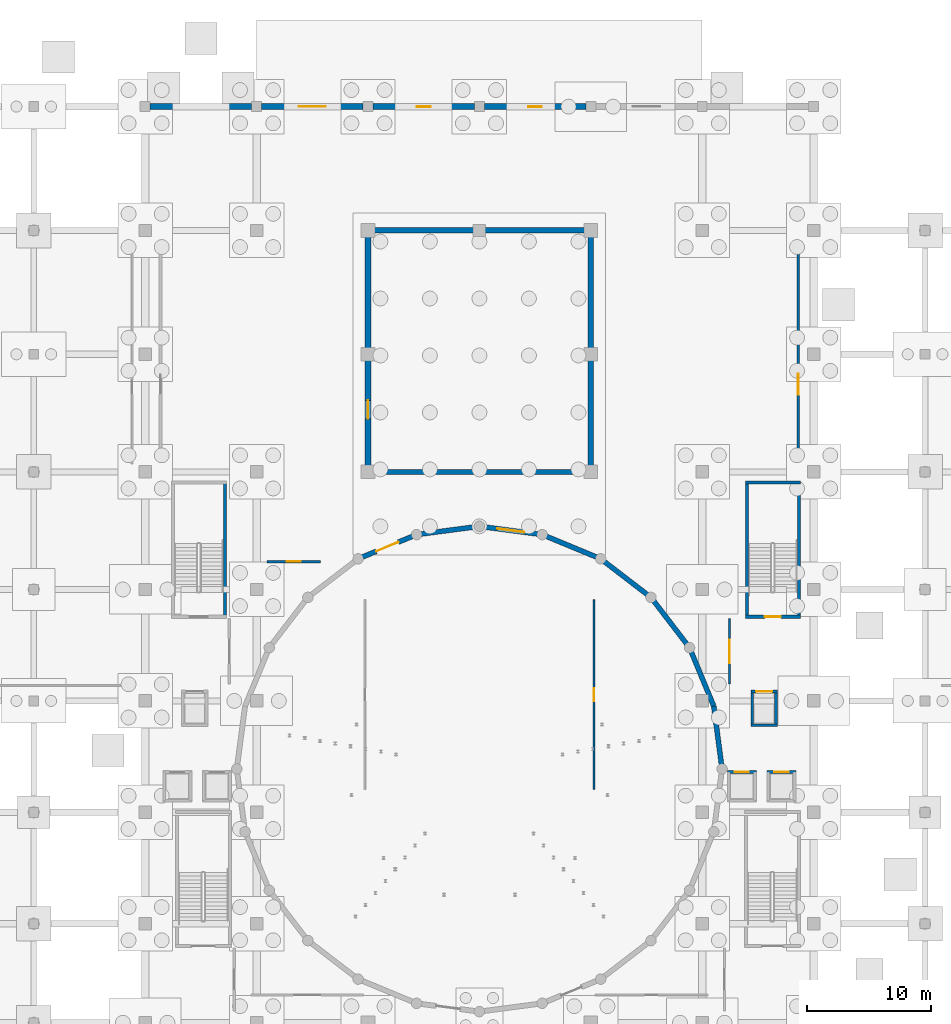
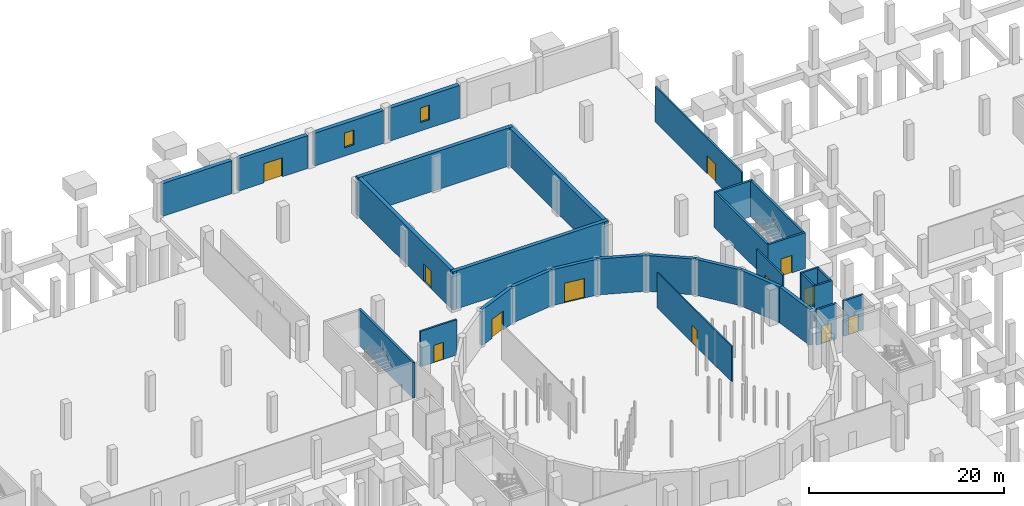
# One storey, part 30 of 40: 31 walls, 12 doors, 2 windows, 14 openings.
"""IFC4 building model written with IfcOpenShell, lengths in metres."""

from ifc_helpers import new_model, si_unit, direction, frame, frame_2d, origin, place, context, subcontext, project, spatial, rectangle, extrude, material, layer, layer_set, type_object, element, fill, save


model = new_model("IFC4")

# Units and contexts
model_context = context("Model", 3, precision=1e-05, world=origin(), true_north=direction((0.0, 1.0)))
body_context = subcontext(model_context, "Body", "Model", "MODEL_VIEW")
ifc_project = project(units=[si_unit("LENGTHUNIT", "METRE"), si_unit("AREAUNIT", "SQUARE_METRE"), si_unit("VOLUMEUNIT", "CUBIC_METRE"), si_unit("PLANEANGLEUNIT", "RADIAN"), si_unit("MASSUNIT", "GRAM", prefix="KILO")], contexts=[model_context])

# Site, building, storey
site_placement = place(None, origin())
site = spatial("IfcSite", under=ifc_project, at=site_placement, CompositionType="ELEMENT")
building_placement = place(site_placement, origin())
building = spatial("IfcBuilding", under=site, at=building_placement, Name="Marnock Terrace Opera House", CompositionType="ELEMENT")
storey_placement = place(building_placement, frame((0.0, 0.0, -4.800048828125)))
storey = spatial("IfcBuildingStorey", under=building, at=storey_placement, Name="B1", CompositionType="ELEMENT", Elevation=-4.800048828125)

# Wall
ifc_material_1 = material(Name="Carey Gully rusticated stone masonry", Category="masonry")
ifc_layer_1 = layer(ifc_material_1, 0.47998046875)
ifc_layer_set_1 = layer_set([ifc_layer_1], Name="Carey Gully rusticated stone masonry")
wall_type_1 = type_object("IfcWallType", Name="EW-BASE-480", PredefinedType="SOLIDWALL", material=ifc_layer_set_1)
wall_1_placement = place(storey_placement, frame((55.39599609375, 114.0, 0.0), z_axis=(0.0, 0.0, 1.0), x_axis=(1.0, 0.0, 0.0)))
element("IfcWall", 1, at=wall_1_placement, inside=storey, type_object=wall_type_1, Name="B1 North Parklands walk-out promenade wall 1", PredefinedType="SOLIDWALL", context=body_context, shape_type="SweptSolid", body=[
    extrude(rectangle(XDim=8.2080078125, YDim=0.47998046875, at=frame_2d((4.10400390625, 0.0))), origin(), (0.0, 0.0, 1.0), 4.111328125),
])

# Wall, opening, door
wall_2_placement = place(storey_placement, frame((64.39599609375, 114.0, 0.0), z_axis=(0.0, 0.0, 1.0), x_axis=(1.0, 0.0, 0.0)))
wall_2 = element("IfcWall", 2, at=wall_2_placement, inside=storey, type_object=wall_type_1, Name="B1 North Parklands walk-out promenade wall 2", PredefinedType="SOLIDWALL", context=body_context, shape_type="SweptSolid", body=[
    extrude(rectangle(XDim=8.2080078125, YDim=0.47998046875, at=frame_2d((4.10400390625, 0.0))), origin(), (0.0, 0.0, 1.0), 4.111328125),
])
opening_1_placement = place(wall_2_placement, frame((3.00390625, 0.0, 0.0)))
opening_1 = element("IfcOpeningElement", 3, at=opening_1_placement, cuts=wall_2, Name="Opening ED-17", PredefinedType="OPENING", context=body_context, shape_type="SweptSolid", body=[
    extrude(rectangle(XDim=2.199951171875, YDim=2.39990234375, at=frame_2d((1.10009765625, 1.199951171875))), frame((0.0, 0.25, 0.0), z_axis=(0.0, -1.0, 0.0), x_axis=(1.0, 0.0, 0.0)), (0.0, 0.0, 1.0), 0.5),
])
ifc_material_2 = material(Name="Anodised architectural bronze aluminium framing", Category="aluminium")
door_type_1 = type_object("IfcDoorType", Name="DT-EXIT-2200", OperationType="NOTDEFINED", PredefinedType="DOOR", material=ifc_material_2)
door_1_placement = place(opening_1_placement, origin())
door_1 = element("IfcDoor", 4, at=door_1_placement, inside=storey, type_object=door_type_1, Name="Exterior door ED-17", OperationType="DOUBLE_DOOR_SINGLE_SWING", OverallHeight=2.39990234375, OverallWidth=2.199951171875, PredefinedType="DOOR", context=body_context, shape_type="SweptSolid", body=[
    extrude(rectangle(XDim=2.199951171875, YDim=2.39990234375, at=frame_2d((1.10009765625, 1.199951171875))), frame((0.0, 0.02490234375, 0.0), z_axis=(0.0, -1.0, 0.0), x_axis=(1.0, 0.0, 0.0)), (0.0, 0.0, 1.0), 0.050048828125),
])
fill(opening_1, door_1)

# Wall, opening, window
wall_3_placement = place(storey_placement, frame((73.39599609375, 114.0, 0.0), z_axis=(0.0, 0.0, 1.0), x_axis=(1.0, 0.0, 0.0)))
wall_3 = element("IfcWall", 5, at=wall_3_placement, inside=storey, type_object=wall_type_1, Name="B1 North Parklands walk-out promenade wall 3", PredefinedType="SOLIDWALL", context=body_context, shape_type="SweptSolid", body=[
    extrude(rectangle(XDim=8.2080078125, YDim=0.47998046875, at=frame_2d((4.10400390625, 0.0))), origin(), (0.0, 0.0, 1.0), 4.111328125),
])
opening_2_placement = place(wall_3_placement, frame((3.553955078125, 0.0, 1.050048828125)))
opening_2 = element("IfcOpeningElement", 6, at=opening_2_placement, cuts=wall_3, Name="Opening WT-23", PredefinedType="OPENING", context=body_context, shape_type="SweptSolid", body=[
    extrude(rectangle(XDim=1.10009765625, YDim=1.85009765625, at=frame_2d((0.550048828125, 0.925048828125))), frame((0.0, 0.25, 0.0), z_axis=(0.0, -1.0, 0.0), x_axis=(1.0, 0.0, 0.0)), (0.0, 0.0, 1.0), 0.5),
])
ifc_material_3 = material(Name="Double-glazed acoustic low-E laminated glass", Category="glass")
window_type = type_object("IfcWindowType", Name="WT-DRESS-1100", PartitioningType="SINGLE_PANEL", PredefinedType="WINDOW", material=ifc_material_3)
window_1_placement = place(opening_2_placement, origin())
window_1 = element("IfcWindow", 7, at=window_1_placement, inside=storey, type_object=window_type, Name="B1 facade window EW-V2N-B1-3.1", OverallHeight=1.85009765625, OverallWidth=1.10009765625, PartitioningType="SINGLE_PANEL", PredefinedType="WINDOW", context=body_context, shape_type="SweptSolid", body=[
    extrude(rectangle(XDim=1.10009765625, YDim=1.85009765625, at=frame_2d((0.550048828125, 0.925048828125))), frame((0.0, 0.030029296875, 0.0), z_axis=(0.0, -1.0, 0.0), x_axis=(1.0, 0.0, 0.0)), (0.0, 0.0, 1.0), 0.06005859375),
])
fill(opening_2, window_1)

wall_4_placement = place(storey_placement, frame((82.39599609375, 114.0, 0.0), z_axis=(0.0, 0.0, 1.0), x_axis=(1.0, 0.0, 0.0)))
wall_4 = element("IfcWall", 8, at=wall_4_placement, inside=storey, type_object=wall_type_1, Name="B1 North Parklands walk-out promenade wall 4", PredefinedType="SOLIDWALL", context=body_context, shape_type="SweptSolid", body=[
    extrude(rectangle(XDim=8.2080078125, YDim=0.47998046875, at=frame_2d((4.10400390625, 0.0))), origin(), (0.0, 0.0, 1.0), 4.111328125),
])
opening_3_placement = place(wall_4_placement, frame((3.553955078125, 0.0, 1.050048828125)))
opening_3 = element("IfcOpeningElement", 9, at=opening_3_placement, cuts=wall_4, Name="Opening WT-23", PredefinedType="OPENING", context=body_context, shape_type="SweptSolid", body=[
    extrude(rectangle(XDim=1.10009765625, YDim=1.85009765625, at=frame_2d((0.550048828125, 0.925048828125))), frame((0.0, 0.25, 0.0), z_axis=(0.0, -1.0, 0.0), x_axis=(1.0, 0.0, 0.0)), (0.0, 0.0, 1.0), 0.5),
])
window_2_placement = place(opening_3_placement, origin())
window_2 = element("IfcWindow", 10, at=window_2_placement, inside=storey, type_object=window_type, Name="B1 facade window EW-V2N-B1-4.1", OverallHeight=1.85009765625, OverallWidth=1.10009765625, PartitioningType="SINGLE_PANEL", PredefinedType="WINDOW", context=body_context, shape_type="SweptSolid", body=[
    extrude(rectangle(XDim=1.10009765625, YDim=1.85009765625, at=frame_2d((0.550048828125, 0.925048828125))), frame((0.0, 0.030029296875, 0.0), z_axis=(0.0, -1.0, 0.0), x_axis=(1.0, 0.0, 0.0)), (0.0, 0.0, 1.0), 0.06005859375),
])
fill(opening_3, window_2)

# Wall, opening, door
ifc_material_4 = material(Name="Rendered acoustic concrete blockwork", Category="masonry")
ifc_layer_2 = layer(ifc_material_4, 0.195068359375)
ifc_layer_set_2 = layer_set([ifc_layer_2], Name="Rendered acoustic concrete blockwork")
wall_type_2 = type_object("IfcWallType", Name="IW-FIRE-195", PredefinedType="PARTITIONING", material=ifc_layer_set_2)
wall_5_placement = place(storey_placement, frame((102.199951171875, 67.35009765625, 0.0), z_axis=(0.0, 0.0, 1.0), x_axis=(0.0, 1.0, 0.0)))
wall_5 = element("IfcWall", 11, at=wall_5_placement, inside=storey, type_object=wall_type_2, Name="B1 C4 fire-rated lift and stair lobby wall", PredefinedType="PARTITIONING", context=body_context, shape_type="SweptSolid", body=[
    extrude(rectangle(XDim=5.2998046875, YDim=0.195068359375, at=frame_2d((2.64990234375, 0.0))), origin(), (0.0, 0.0, 1.0), 4.449951171875),
])
opening_4_placement = place(wall_5_placement, frame((1.699951171875, 0.0, 0.0)))
opening_4 = element("IfcOpeningElement", 12, at=opening_4_placement, cuts=wall_5, Name="Opening FD-C4-B1", PredefinedType="OPENING", context=body_context, shape_type="SweptSolid", body=[
    extrude(rectangle(XDim=1.89990234375, YDim=2.300048828125, at=frame_2d((0.949951171875, 1.14990234375))), frame((0.0, 0.107421875, 0.0), z_axis=(0.0, -1.0, 0.0), x_axis=(1.0, 0.0, 0.0)), (0.0, 0.0, 1.0), 0.215087890625),
])
ifc_material_5 = material(Name="Fire-rated acoustic timber-core door assembly", Category="wood")
door_type_2 = type_object("IfcDoorType", Name="DT-LOBBY-1900", OperationType="NOTDEFINED", PredefinedType="DOOR", material=ifc_material_5)
door_2_placement = place(opening_4_placement, origin())
door_2 = element("IfcDoor", 13, at=door_2_placement, inside=storey, type_object=door_type_2, Name="B1 C4 lobby self-closing smoke door", OperationType="SINGLE_SWING_RIGHT", OverallHeight=2.300048828125, OverallWidth=1.89990234375, PredefinedType="DOOR", context=body_context, shape_type="SweptSolid", body=[
    extrude(rectangle(XDim=1.89990234375, YDim=2.300048828125, at=frame_2d((0.949951171875, 1.14990234375))), frame((0.0, 0.02490234375, 0.0), z_axis=(0.0, -1.0, 0.0), x_axis=(1.0, 0.0, 0.0)), (0.0, 0.0, 1.0), 0.050048828125),
])
fill(opening_4, door_2)

wall_6_placement = place(storey_placement, frame((107.75, 85.35009765625, 0.0), z_axis=(0.0, 0.0, 1.0), x_axis=(0.0, 1.0, 0.0)))
wall_6 = element("IfcWall", 14, at=wall_6_placement, inside=storey, type_object=wall_type_2, Name="B1 Sprinkler Pump and Fire Tank Room acoustic partition wall", PredefinedType="PARTITIONING", context=body_context, shape_type="SweptSolid", body=[
    extrude(rectangle(XDim=17.7998046875, YDim=0.195068359375, at=frame_2d((8.89990234375, 0.0))), origin(), (0.0, 0.0, 1.0), 4.449951171875),
])
opening_5_placement = place(wall_6_placement, frame((5.3798828125, 0.0, 0.0)))
opening_5 = element("IfcOpeningElement", 15, at=opening_5_placement, cuts=wall_6, Name="Opening D-B1-09", PredefinedType="OPENING", context=body_context, shape_type="SweptSolid", body=[
    extrude(rectangle(XDim=1.699951171875, YDim=2.25, at=frame_2d((0.85009765625, 1.125))), frame((0.0, 0.107421875, 0.0), z_axis=(0.0, -1.0, 0.0), x_axis=(1.0, 0.0, 0.0)), (0.0, 0.0, 1.0), 0.215087890625),
])
door_type_3 = type_object("IfcDoorType", Name="DT-PLANT-1700", OperationType="NOTDEFINED", PredefinedType="DOOR", material=ifc_material_5)
door_3_placement = place(opening_5_placement, origin())
door_3 = element("IfcDoor", 16, at=door_3_placement, inside=storey, type_object=door_type_3, Name="B1 Sprinkler Pump and Fire Tank Room entrance door", OperationType="SINGLE_SWING_RIGHT", OverallHeight=2.25, OverallWidth=1.699951171875, PredefinedType="DOOR", context=body_context, shape_type="SweptSolid", body=[
    extrude(rectangle(XDim=1.699951171875, YDim=2.25, at=frame_2d((0.85009765625, 1.125))), frame((0.0, 0.02490234375, 0.0), z_axis=(0.0, -1.0, 0.0), x_axis=(1.0, 0.0, 0.0)), (0.0, 0.0, 1.0), 0.050048828125),
])
fill(opening_5, door_3)

ifc_material_6 = material(Name="Double-stud acoustic plasterboard with mineral-wool infill")
ifc_layer_3 = layer(ifc_material_6, 0.14794921875)
ifc_layer_set_3 = layer_set([ifc_layer_3], Name="Double-stud acoustic plasterboard with mineral-wool infill")
wall_type_3 = type_object("IfcWallType", Name="IW-PART-148", PredefinedType="PARTITIONING", material=ifc_layer_set_3)
wall_7_placement = place(storey_placement, frame((91.25, 58.85009765625, 0.0), z_axis=(0.0, 0.0, 1.0), x_axis=(0.0, 1.0, 0.0)))
wall_7 = element("IfcWall", 17, at=wall_7_placement, inside=storey, type_object=wall_type_3, Name="B1 Orchestra Changing Room East acoustic partition wall", PredefinedType="PARTITIONING", context=body_context, shape_type="SweptSolid", body=[
    extrude(rectangle(XDim=15.2998046875, YDim=0.14794921875, at=frame_2d((7.64990234375, 0.0))), origin(), (0.0, 0.0, 1.0), 4.449951171875),
])
opening_6_placement = place(wall_7_placement, frame((7.1201171875, 0.0, 0.0)))
opening_6 = element("IfcOpeningElement", 18, at=opening_6_placement, cuts=wall_7, Name="Opening D-B1-06", PredefinedType="OPENING", context=body_context, shape_type="SweptSolid", body=[
    extrude(rectangle(XDim=1.06005859375, YDim=2.199951171875, at=frame_2d((0.530029296875, 1.10009765625))), frame((0.0, 0.083984375, 0.0), z_axis=(0.0, -1.0, 0.0), x_axis=(1.0, 0.0, 0.0)), (0.0, 0.0, 1.0), 0.16796875),
])
ifc_material_7 = material(Name="Solid-core Tasmanian oak acoustic door leaf")
door_type_4 = type_object("IfcDoorType", Name="DT-SUITE-1060", OperationType="NOTDEFINED", PredefinedType="DOOR", material=ifc_material_7)
door_4_placement = place(opening_6_placement, origin())
door_4 = element("IfcDoor", 19, at=door_4_placement, inside=storey, type_object=door_type_4, Name="B1 Orchestra Changing Room East entrance door", OperationType="SINGLE_SWING_LEFT", OverallHeight=2.199951171875, OverallWidth=1.06005859375, PredefinedType="DOOR", context=body_context, shape_type="SweptSolid", body=[
    extrude(rectangle(XDim=1.06005859375, YDim=2.199951171875, at=frame_2d((0.530029296875, 1.10009765625))), frame((0.0, 0.02490234375, 0.0), z_axis=(0.0, -1.0, 0.0), x_axis=(1.0, 0.0, 0.0)), (0.0, 0.0, 1.0), 0.050048828125),
])
fill(opening_6, door_4)

ifc_material_8 = material(Name="Moisture-resistant tiled service duct framing")
ifc_layer_4 = layer(ifc_material_8, 0.205078125)
ifc_layer_set_4 = layer_set([ifc_layer_4], Name="Moisture-resistant tiled service duct framing")
wall_type_4 = type_object("IfcWallType", Name="IW-PLUMB-205", PredefinedType="PLUMBINGWALL", material=ifc_layer_set_4)
wall_8_placement = place(storey_placement, frame((64.85009765625, 77.25, 0.0), z_axis=(0.0, 0.0, 1.0), x_axis=(1.0, 0.0, 0.0)))
wall_8 = element("IfcWall", 20, at=wall_8_placement, inside=storey, type_object=wall_type_4, Name="B1 Accessible WC B1 Central acoustic partition wall", PredefinedType="PLUMBINGWALL", context=body_context, shape_type="SweptSolid", body=[
    extrude(rectangle(XDim=4.2998046875, YDim=0.205078125, at=frame_2d((2.14990234375, 0.0))), origin(), (0.0, 0.0, 1.0), 4.449951171875),
])
opening_7_placement = place(wall_8_placement, frame((1.590087890625, 0.0, 0.0)))
opening_7 = element("IfcOpeningElement", 21, at=opening_7_placement, cuts=wall_8, Name="Opening D-B1-20", PredefinedType="OPENING", context=body_context, shape_type="SweptSolid", body=[
    extrude(rectangle(XDim=1.1201171875, YDim=2.159912109375, at=frame_2d((0.56005859375, 1.080078125))), frame((0.0, 0.112548828125, 0.0), z_axis=(0.0, -1.0, 0.0), x_axis=(1.0, 0.0, 0.0)), (0.0, 0.0, 1.0), 0.22509765625),
])
door_type_5 = type_object("IfcDoorType", Name="DT-ACCWC-1120", OperationType="NOTDEFINED", PredefinedType="DOOR", material=ifc_material_7)
door_5_placement = place(opening_7_placement, origin())
door_5 = element("IfcDoor", 22, at=door_5_placement, inside=storey, type_object=door_type_5, Name="B1 Accessible WC B1 Central entrance door", OperationType="SINGLE_SWING_LEFT", OverallHeight=2.159912109375, OverallWidth=1.1201171875, PredefinedType="DOOR", context=body_context, shape_type="SweptSolid", body=[
    extrude(rectangle(XDim=1.1201171875, YDim=2.159912109375, at=frame_2d((0.56005859375, 1.080078125))), frame((0.0, 0.02490234375, 0.0), z_axis=(0.0, -1.0, 0.0), x_axis=(1.0, 0.0, 0.0)), (0.0, 0.0, 1.0), 0.050048828125),
])
fill(opening_7, door_5)

ifc_layer_5 = layer(ifc_material_4, 0.22509765625)
ifc_layer_set_5 = layer_set([ifc_layer_5], Name="Rendered acoustic concrete blockwork")
wall_type_5 = type_object("IfcWallType", Name="IW-SHAFT-225", PredefinedType="SOLIDWALL", material=ifc_layer_set_5)
wall_9_placement = place(storey_placement, frame((102.027587890625, 60.260009765625, 0.0), z_axis=(0.0, 0.0, 1.0), x_axis=(1.0, 0.0, 0.0)))
wall_9 = element("IfcWall", 23, at=wall_9_placement, inside=storey, type_object=wall_type_5, Name="B1 Lift PL-03 front shaft wall", PredefinedType="SOLIDWALL", context=body_context, shape_type="SweptSolid", body=[
    extrude(rectangle(XDim=2.344970703125, YDim=0.22509765625, at=frame_2d((1.17236328125, 0.0))), origin(), (0.0, 0.0, 1.0), 4.449951171875),
])
opening_8_placement = place(wall_9_placement, frame((0.597412109375, 0.0, 0.0)))
opening_8 = element("IfcOpeningElement", 24, at=opening_8_placement, cuts=wall_9, Name="Opening LD-PL-03-B1", PredefinedType="OPENING", context=body_context, shape_type="SweptSolid", body=[
    extrude(rectangle(XDim=1.14990234375, YDim=2.199951171875, at=frame_2d((0.574951171875, 1.10009765625))), frame((0.0, 0.12255859375, 0.0), z_axis=(0.0, -1.0, 0.0), x_axis=(1.0, 0.0, 0.0)), (0.0, 0.0, 1.0), 0.2451171875),
])
ifc_material_9 = material(Name="Brushed stainless steel landing door assembly", Category="steel")
door_type_6 = type_object("IfcDoorType", Name="DT-LIFT-1150", OperationType="NOTDEFINED", PredefinedType="DOOR", material=ifc_material_9)
door_6_placement = place(opening_8_placement, origin())
door_6 = element("IfcDoor", 25, at=door_6_placement, inside=storey, type_object=door_type_6, Name="B1 Lift PL-03 sliding landing door", OperationType="DOUBLE_DOOR_SLIDING", OverallHeight=2.199951171875, OverallWidth=1.14990234375, PredefinedType="DOOR", context=body_context, shape_type="SweptSolid", body=[
    extrude(rectangle(XDim=1.14990234375, YDim=2.199951171875, at=frame_2d((0.574951171875, 1.10009765625))), frame((0.0, 0.02490234375, 0.0), z_axis=(0.0, -1.0, 0.0), x_axis=(1.0, 0.0, 0.0)), (0.0, 0.0, 1.0), 0.050048828125),
])
fill(opening_8, door_6)

wall_10_placement = place(storey_placement, frame((105.2275390625, 60.260009765625, 0.0), z_axis=(0.0, 0.0, 1.0), x_axis=(1.0, 0.0, 0.0)))
wall_10 = element("IfcWall", 26, at=wall_10_placement, inside=storey, type_object=wall_type_5, Name="B1 Lift PL-04 front shaft wall", PredefinedType="SOLIDWALL", context=body_context, shape_type="SweptSolid", body=[
    extrude(rectangle(XDim=2.344970703125, YDim=0.22509765625, at=frame_2d((1.17236328125, 0.0))), origin(), (0.0, 0.0, 1.0), 4.449951171875),
])
opening_9_placement = place(wall_10_placement, frame((0.597412109375, 0.0, 0.0)))
opening_9 = element("IfcOpeningElement", 27, at=opening_9_placement, cuts=wall_10, Name="Opening LD-PL-04-B1", PredefinedType="OPENING", context=body_context, shape_type="SweptSolid", body=[
    extrude(rectangle(XDim=1.14990234375, YDim=2.199951171875, at=frame_2d((0.574951171875, 1.10009765625))), frame((0.0, 0.12255859375, 0.0), z_axis=(0.0, -1.0, 0.0), x_axis=(1.0, 0.0, 0.0)), (0.0, 0.0, 1.0), 0.2451171875),
])
door_7_placement = place(opening_9_placement, origin())
door_7 = element("IfcDoor", 28, at=door_7_placement, inside=storey, type_object=door_type_6, Name="B1 Lift PL-04 sliding landing door", OperationType="DOUBLE_DOOR_SLIDING", OverallHeight=2.199951171875, OverallWidth=1.14990234375, PredefinedType="DOOR", context=body_context, shape_type="SweptSolid", body=[
    extrude(rectangle(XDim=1.14990234375, YDim=2.199951171875, at=frame_2d((0.574951171875, 1.10009765625))), frame((0.0, 0.02490234375, 0.0), z_axis=(0.0, -1.0, 0.0), x_axis=(1.0, 0.0, 0.0)), (0.0, 0.0, 1.0), 0.050048828125),
])
fill(opening_9, door_7)

wall_11_placement = place(storey_placement, frame((103.927490234375, 66.760009765625, 0.0), z_axis=(0.0, 0.0, 1.0), x_axis=(1.0, 0.0, 0.0)))
wall_11 = element("IfcWall", 29, at=wall_11_placement, inside=storey, type_object=wall_type_5, Name="B1 Lift EL-02 front shaft wall", PredefinedType="SOLIDWALL", context=body_context, shape_type="SweptSolid", body=[
    extrude(rectangle(XDim=2.14501953125, YDim=0.22509765625, at=frame_2d((1.072509765625, 0.0))), origin(), (0.0, 0.0, 1.0), 4.449951171875),
])
opening_10_placement = place(wall_11_placement, frame((0.422607421875, 0.0, 0.0)))
opening_10 = element("IfcOpeningElement", 30, at=opening_10_placement, cuts=wall_11, Name="Opening LD-EL-02-B1", PredefinedType="OPENING", context=body_context, shape_type="SweptSolid", body=[
    extrude(rectangle(XDim=1.300048828125, YDim=2.25, at=frame_2d((0.64990234375, 1.125))), frame((0.0, 0.12255859375, 0.0), z_axis=(0.0, -1.0, 0.0), x_axis=(1.0, 0.0, 0.0)), (0.0, 0.0, 1.0), 0.2451171875),
])
door_type_7 = type_object("IfcDoorType", Name="DT-LIFT-1300", OperationType="NOTDEFINED", PredefinedType="DOOR", material=ifc_material_9)
door_8_placement = place(opening_10_placement, origin())
door_8 = element("IfcDoor", 31, at=door_8_placement, inside=storey, type_object=door_type_7, Name="B1 Lift EL-02 sliding landing door", OperationType="DOUBLE_DOOR_SLIDING", OverallHeight=2.25, OverallWidth=1.300048828125, PredefinedType="DOOR", context=body_context, shape_type="SweptSolid", body=[
    extrude(rectangle(XDim=1.300048828125, YDim=2.25, at=frame_2d((0.64990234375, 1.125))), frame((0.0, 0.02490234375, 0.0), z_axis=(0.0, -1.0, 0.0), x_axis=(1.0, 0.0, 0.0)), (0.0, 0.0, 1.0), 0.050048828125),
])
fill(opening_10, door_8)

# Walls
wall_12_placement = place(storey_placement, frame((103.927490234375, 64.0400390625, 0.0), z_axis=(0.0, 0.0, 1.0), x_axis=(1.0, 0.0, 0.0)))
element("IfcWall", 32, at=wall_12_placement, inside=storey, type_object=wall_type_5, Name="B1 Lift EL-02 rear shaft wall", PredefinedType="SOLIDWALL", context=body_context, shape_type="SweptSolid", body=[
    extrude(rectangle(XDim=2.14501953125, YDim=0.22509765625, at=frame_2d((1.072509765625, 0.0))), origin(), (0.0, 0.0, 1.0), 4.449951171875),
])
for number, where, z_axis, x_axis, name in (
    (33, (104.0400390625, 64.0400390625, 0.0), (0.0, 0.0, 1.0), (0.0, 1.0, 0.0), "B1 Lift EL-02 west shaft wall"),
    (34, (105.9599609375, 64.0400390625, 0.0), (0.0, 0.0, 1.0), (0.0, 1.0, 0.0), "B1 Lift EL-02 east shaft wall"),
):
    element("IfcWall", number, at=place(storey_placement, frame(where, z_axis=z_axis, x_axis=x_axis)), inside=storey, type_object=wall_type_5, Name=name, PredefinedType="SOLIDWALL", context=body_context, shape_type="SweptSolid", body=[
        extrude(rectangle(XDim=2.719970703125, YDim=0.22509765625, at=frame_2d((1.35986328125, 0.0))), origin(), (0.0, 0.0, 1.0), 4.449951171875),
    ])
ifc_material_10 = material(Name="Concrete N40 (f'c = 40 MPa)", Category="concrete")
ifc_layer_6 = layer(ifc_material_10, 0.25)
ifc_layer_set_6 = layer_set([ifc_layer_6], Name="Concrete N40 (f'c = 40 MPa)")
wall_type_6 = type_object("IfcWallType", Name="SW-CORE-250", PredefinedType="SHEAR", material=ifc_layer_set_6)
wall_13_placement = place(storey_placement, frame((61.43994140625, 72.675048828125, 0.0), z_axis=(0.0, 0.0, 1.0), x_axis=(0.0, 1.0, 0.0)))
element("IfcWall", 35, at=wall_13_placement, inside=storey, type_object=wall_type_6, Name="B1 Core C3 FRL 120/120/120 shear wall E", PredefinedType="SHEAR", context=body_context, shape_type="SweptSolid", body=[
    extrude(rectangle(XDim=11.08984375, YDim=0.25, at=frame_2d((5.544921875, 0.0))), origin(), (0.0, 0.0, 1.0), 4.5),
])

# Wall, opening, door
wall_14_placement = place(storey_placement, frame((103.47509765625, 72.800048828125, 0.0), z_axis=(0.0, 0.0, 1.0), x_axis=(1.0, 0.0, 0.0)))
wall_14 = element("IfcWall", 36, at=wall_14_placement, inside=storey, type_object=wall_type_6, Name="B1 Core C4 FRL 120/120/120 shear wall S", PredefinedType="SHEAR", context=body_context, shape_type="SweptSolid", body=[
    extrude(rectangle(XDim=4.449951171875, YDim=0.25, at=frame_2d((2.22509765625, 0.0))), origin(), (0.0, 0.0, 1.0), 4.5),
])
opening_11_placement = place(wall_14_placement, frame((1.574951171875, 0.0, 0.0)))
opening_11 = element("IfcOpeningElement", 37, at=opening_11_placement, cuts=wall_14, Name="Opening SD-C4-B1", PredefinedType="OPENING", context=body_context, shape_type="SweptSolid", body=[
    extrude(rectangle(XDim=1.300048828125, YDim=2.179931640625, at=frame_2d((0.64990234375, 1.08984375))), frame((0.0, 0.135009765625, 0.0), z_axis=(0.0, -1.0, 0.0), x_axis=(1.0, 0.0, 0.0)), (0.0, 0.0, 1.0), 0.27001953125),
])
door_type_8 = type_object("IfcDoorType", Name="DT-STAIR-1300", OperationType="NOTDEFINED", PredefinedType="DOOR", material=ifc_material_5)
door_9_placement = place(opening_11_placement, origin())
door_9 = element("IfcDoor", 38, at=door_9_placement, inside=storey, type_object=door_type_8, Name="B1 Stair ST-04 fire-isolated exit door", OperationType="SINGLE_SWING_LEFT", OverallHeight=2.179931640625, OverallWidth=1.300048828125, PredefinedType="DOOR", context=body_context, shape_type="SweptSolid", body=[
    extrude(rectangle(XDim=1.300048828125, YDim=2.179931640625, at=frame_2d((0.64990234375, 1.08984375))), frame((0.0, 0.02490234375, 0.0), z_axis=(0.0, -1.0, 0.0), x_axis=(1.0, 0.0, 0.0)), (0.0, 0.0, 1.0), 0.050048828125),
])
fill(opening_11, door_9)

# Walls
wall_15_placement = place(storey_placement, frame((103.47509765625, 83.639892578125, 0.0), z_axis=(0.0, 0.0, 1.0), x_axis=(1.0, 0.0, 0.0)))
element("IfcWall", 39, at=wall_15_placement, inside=storey, type_object=wall_type_6, Name="B1 Core C4 FRL 120/120/120 shear wall N", PredefinedType="SHEAR", context=body_context, shape_type="SweptSolid", body=[
    extrude(rectangle(XDim=4.449951171875, YDim=0.25, at=frame_2d((2.22509765625, 0.0))), origin(), (0.0, 0.0, 1.0), 4.5),
])
for number, where, z_axis, x_axis, name in (
    (40, (103.60009765625, 72.675048828125, 0.0), (0.0, 0.0, 1.0), (0.0, 1.0, 0.0), "B1 Core C4 FRL 120/120/120 shear wall W"),
    (41, (107.800048828125, 72.675048828125, 0.0), (0.0, 0.0, 1.0), (0.0, 1.0, 0.0), "B1 Core C4 FRL 120/120/120 shear wall E"),
):
    element("IfcWall", number, at=place(storey_placement, frame(where, z_axis=z_axis, x_axis=x_axis)), inside=storey, type_object=wall_type_6, Name=name, PredefinedType="SHEAR", context=body_context, shape_type="SweptSolid", body=[
        extrude(rectangle(XDim=11.08984375, YDim=0.25, at=frame_2d((5.544921875, 0.0))), origin(), (0.0, 0.0, 1.0), 4.5),
    ])
ifc_material_11 = material(Name="Concrete N50 (f'c = 50 MPa)", Category="concrete")
ifc_layer_7 = layer(ifc_material_11, 0.39990234375)
ifc_layer_set_7 = layer_set([ifc_layer_7], Name="Concrete N50 (f'c = 50 MPa)")
wall_type_7 = type_object("IfcWallType", Name="SW-DRUM-400", PredefinedType="SHEAR", material=ifc_layer_set_7)
wall_16_placement = place(storey_placement, frame((101.60009765625, 60.5, 0.0), z_axis=(0.0, 0.0, 1.0), x_axis=(-0.130591512704, 0.99143625958, 0.0)))
element("IfcWall", 42, at=wall_16_placement, inside=storey, type_object=wall_type_7, Name="B1 cylindrical auditorium drum shear wall 1", PredefinedType="SHEAR", context=body_context, shape_type="SweptSolid", body=[
    extrude(rectangle(XDim=5.11669921875, YDim=0.39990234375, at=frame_2d((2.558349609375, 0.0))), origin(), (0.0, 0.0, 1.0), 4.5),
])
for number, where, z_axis, x_axis, name in (
    (43, (100.931884765625, 65.572998046875, 0.0), (0.0, 0.0, 1.0), (-0.382642581018, 0.923896452635, 0.0), "B1 cylindrical auditorium drum shear wall 2"),
    (44, (98.97412109375, 70.300048828125, 0.0), (0.0, 0.0, 1.0), (-0.608857194409, 0.793279847731, 0.0), "B1 cylindrical auditorium drum shear wall 3"),
    (45, (95.85888671875, 74.35888671875, 0.0), (0.0, 0.0, 1.0), (-0.793279847731, 0.608857194409, 0.0), "B1 cylindrical auditorium drum shear wall 4"),
    (46, (91.800048828125, 77.47412109375, 0.0), (0.0, 0.0, 1.0), (-0.923896452635, 0.382642581018, 0.0), "B1 cylindrical auditorium drum shear wall 5"),
):
    element("IfcWall", number, at=place(storey_placement, frame(where, z_axis=z_axis, x_axis=x_axis)), inside=storey, type_object=wall_type_7, Name=name, PredefinedType="SHEAR", context=body_context, shape_type="SweptSolid", body=[
        extrude(rectangle(XDim=5.116455078125, YDim=0.39990234375, at=frame_2d((2.55810546875, 0.0))), origin(), (0.0, 0.0, 1.0), 4.5),
    ])

# Wall, opening, door
wall_17_placement = place(storey_placement, frame((87.072998046875, 79.431884765625, 0.0), z_axis=(0.0, 0.0, 1.0), x_axis=(-0.99143625958, 0.130591512704, 0.0)))
wall_17 = element("IfcWall", 47, at=wall_17_placement, inside=storey, type_object=wall_type_7, Name="B1 cylindrical auditorium drum shear wall 6", PredefinedType="SHEAR", context=body_context, shape_type="SweptSolid", body=[
    extrude(rectangle(XDim=5.11669921875, YDim=0.39990234375, at=frame_2d((2.558349609375, 0.0))), origin(), (0.0, 0.0, 1.0), 4.5),
])
opening_12_placement = place(wall_17_placement, frame((1.45849609375, 0.0, 0.0)))
opening_12 = element("IfcOpeningElement", 48, at=opening_12_placement, cuts=wall_17, Name="Opening AD-B1-05", PredefinedType="OPENING", context=body_context, shape_type="SweptSolid", body=[
    extrude(rectangle(XDim=2.199951171875, YDim=2.449951171875, at=frame_2d((1.10009765625, 1.22509765625))), frame((0.0, 0.2099609375, 0.0), z_axis=(0.0, -1.0, 0.0), x_axis=(1.0, 0.0, 0.0)), (0.0, 0.0, 1.0), 0.419921875),
])
door_type_9 = type_object("IfcDoorType", Name="DT-AUD-2200", OperationType="NOTDEFINED", PredefinedType="DOOR", material=ifc_material_7)
door_10_placement = place(opening_12_placement, origin())
door_10 = element("IfcDoor", 49, at=door_10_placement, inside=storey, type_object=door_type_9, Name="B1 Auditorium sound-lock double door 5", OperationType="DOUBLE_DOOR_SINGLE_SWING", OverallHeight=2.449951171875, OverallWidth=2.199951171875, PredefinedType="DOOR", context=body_context, shape_type="SweptSolid", body=[
    extrude(rectangle(XDim=2.199951171875, YDim=2.449951171875, at=frame_2d((1.10009765625, 1.22509765625))), frame((0.0, 0.02490234375, 0.0), z_axis=(0.0, -1.0, 0.0), x_axis=(1.0, 0.0, 0.0)), (0.0, 0.0, 1.0), 0.050048828125),
])
fill(opening_12, door_10)

# Wall
wall_18_placement = place(storey_placement, frame((82.0, 80.10009765625, 0.0), z_axis=(0.0, 0.0, 1.0), x_axis=(-0.99143625958, -0.130591512704, 0.0)))
element("IfcWall", 50, at=wall_18_placement, inside=storey, type_object=wall_type_7, Name="B1 cylindrical auditorium drum shear wall 7", PredefinedType="SHEAR", context=body_context, shape_type="SweptSolid", body=[
    extrude(rectangle(XDim=5.11669921875, YDim=0.39990234375, at=frame_2d((2.558349609375, 0.0))), origin(), (0.0, 0.0, 1.0), 4.5),
])

# Wall, opening, door
wall_19_placement = place(storey_placement, frame((76.927001953125, 79.431884765625, 0.0), z_axis=(0.0, 0.0, 1.0), x_axis=(-0.923896452635, -0.382642581018, 0.0)))
wall_19 = element("IfcWall", 51, at=wall_19_placement, inside=storey, type_object=wall_type_7, Name="B1 cylindrical auditorium drum shear wall 8", PredefinedType="SHEAR", context=body_context, shape_type="SweptSolid", body=[
    extrude(rectangle(XDim=5.116455078125, YDim=0.39990234375, at=frame_2d((2.55810546875, 0.0))), origin(), (0.0, 0.0, 1.0), 4.5),
])
opening_13_placement = place(wall_19_placement, frame((1.583251953125, 0.0, 0.0)))
opening_13 = element("IfcOpeningElement", 52, at=opening_13_placement, cuts=wall_19, Name="Opening AD-B1-07", PredefinedType="OPENING", context=body_context, shape_type="SweptSolid", body=[
    extrude(rectangle(XDim=1.949951171875, YDim=2.39990234375, at=frame_2d((0.97509765625, 1.199951171875))), frame((0.0, 0.2099609375, 0.0), z_axis=(0.0, -1.0, 0.0), x_axis=(1.0, 0.0, 0.0)), (0.0, 0.0, 1.0), 0.419921875),
])
door_type_10 = type_object("IfcDoorType", Name="DT-AUD-1950", OperationType="NOTDEFINED", PredefinedType="DOOR", material=ifc_material_7)
door_11_placement = place(opening_13_placement, origin())
door_11 = element("IfcDoor", 53, at=door_11_placement, inside=storey, type_object=door_type_10, Name="B1 Auditorium sound-lock double door 7", OperationType="DOUBLE_DOOR_SINGLE_SWING", OverallHeight=2.39990234375, OverallWidth=1.949951171875, PredefinedType="DOOR", context=body_context, shape_type="SweptSolid", body=[
    extrude(rectangle(XDim=1.949951171875, YDim=2.39990234375, at=frame_2d((0.97509765625, 1.199951171875))), frame((0.0, 0.02490234375, 0.0), z_axis=(0.0, -1.0, 0.0), x_axis=(1.0, 0.0, 0.0)), (0.0, 0.0, 1.0), 0.050048828125),
])
fill(opening_13, door_11)

# Wall
ifc_layer_8 = layer(ifc_material_11, 0.449951171875)
ifc_layer_set_8 = layer_set([ifc_layer_8], Name="Concrete N50 (f'c = 50 MPa)")
wall_type_8 = type_object("IfcWallType", Name="SW-FLY-450", PredefinedType="SHEAR", material=ifc_layer_set_8)
wall_20_placement = place(storey_placement, frame((72.77490234375, 104.0, 0.0), z_axis=(0.0, 0.0, 1.0), x_axis=(1.0, 0.0, 0.0)))
element("IfcWall", 54, at=wall_20_placement, inside=storey, type_object=wall_type_8, Name="B1 Fly Tower north shear wall", PredefinedType="SHEAR", context=body_context, shape_type="SweptSolid", body=[
    extrude(rectangle(XDim=18.4501953125, YDim=0.449951171875, at=frame_2d((9.22509765625, 0.0))), origin(), (0.0, 0.0, 1.0), 4.800048828125),
])

# Wall, opening, door
wall_21_placement = place(storey_placement, frame((73.0, 84.27490234375, 0.0), z_axis=(0.0, 0.0, 1.0), x_axis=(0.0, 1.0, 0.0)))
wall_21 = element("IfcWall", 55, at=wall_21_placement, inside=storey, type_object=wall_type_8, Name="B1 Fly Tower west shear wall", PredefinedType="SHEAR", context=body_context, shape_type="SweptSolid", body=[
    extrude(rectangle(XDim=19.9501953125, YDim=0.449951171875, at=frame_2d((9.97509765625, 0.0))), origin(), (0.0, 0.0, 1.0), 4.800048828125),
])
opening_14_placement = place(wall_21_placement, frame((4.5, 0.0, 0.0)))
opening_14 = element("IfcOpeningElement", 56, at=opening_14_placement, cuts=wall_21, Name="Opening FD-FLY-B1", PredefinedType="OPENING", context=body_context, shape_type="SweptSolid", body=[
    extrude(rectangle(XDim=1.5, YDim=2.199951171875, at=frame_2d((0.75, 1.10009765625))), frame((0.0, 0.23486328125, 0.0), z_axis=(0.0, -1.0, 0.0), x_axis=(1.0, 0.0, 0.0)), (0.0, 0.0, 1.0), 0.469970703125),
])
door_type_11 = type_object("IfcDoorType", Name="DT-PLANT-1500", OperationType="NOTDEFINED", PredefinedType="DOOR", material=ifc_material_5)
door_12_placement = place(opening_14_placement, origin())
door_12 = element("IfcDoor", 57, at=door_12_placement, inside=storey, type_object=door_type_11, Name="B1 Fly Tower fire-isolated egress door FD-FLY-B1", OperationType="SINGLE_SWING_RIGHT", OverallHeight=2.199951171875, OverallWidth=1.5, PredefinedType="DOOR", context=body_context, shape_type="SweptSolid", body=[
    extrude(rectangle(XDim=1.5, YDim=2.199951171875, at=frame_2d((0.75, 1.10009765625))), frame((0.0, 0.02490234375, 0.0), z_axis=(0.0, -1.0, 0.0), x_axis=(1.0, 0.0, 0.0)), (0.0, 0.0, 1.0), 0.050048828125),
])
fill(opening_14, door_12)

# Walls
wall_22_placement = place(storey_placement, frame((91.0, 84.27490234375, 0.0), z_axis=(0.0, 0.0, 1.0), x_axis=(0.0, 1.0, 0.0)))
element("IfcWall", 58, at=wall_22_placement, inside=storey, type_object=wall_type_8, Name="B1 Fly Tower east shear wall", PredefinedType="SHEAR", context=body_context, shape_type="SweptSolid", body=[
    extrude(rectangle(XDim=19.9501953125, YDim=0.449951171875, at=frame_2d((9.97509765625, 0.0))), origin(), (0.0, 0.0, 1.0), 4.800048828125),
])
ifc_layer_9 = layer(ifc_material_11, 0.419921875)
ifc_layer_set_9 = layer_set([ifc_layer_9], Name="Concrete N50 (f'c = 50 MPa)")
wall_type_9 = type_object("IfcWallType", Name="SW-PROSC-420", PredefinedType="SHEAR", material=ifc_layer_set_9)
wall_23_placement = place(storey_placement, frame((72.77490234375, 84.5, 0.0), z_axis=(0.0, 0.0, 1.0), x_axis=(1.0, 0.0, 0.0)))
element("IfcWall", 59, at=wall_23_placement, inside=storey, type_object=wall_type_9, Name="B1 Fly Tower proscenium fire shear wall", PredefinedType="SHEAR", context=body_context, shape_type="SweptSolid", body=[
    extrude(rectangle(XDim=18.4501953125, YDim=0.419921875, at=frame_2d((9.22509765625, 0.0))), origin(), (0.0, 0.0, 1.0), 4.800048828125),
])

save(model, "model.ifc")
